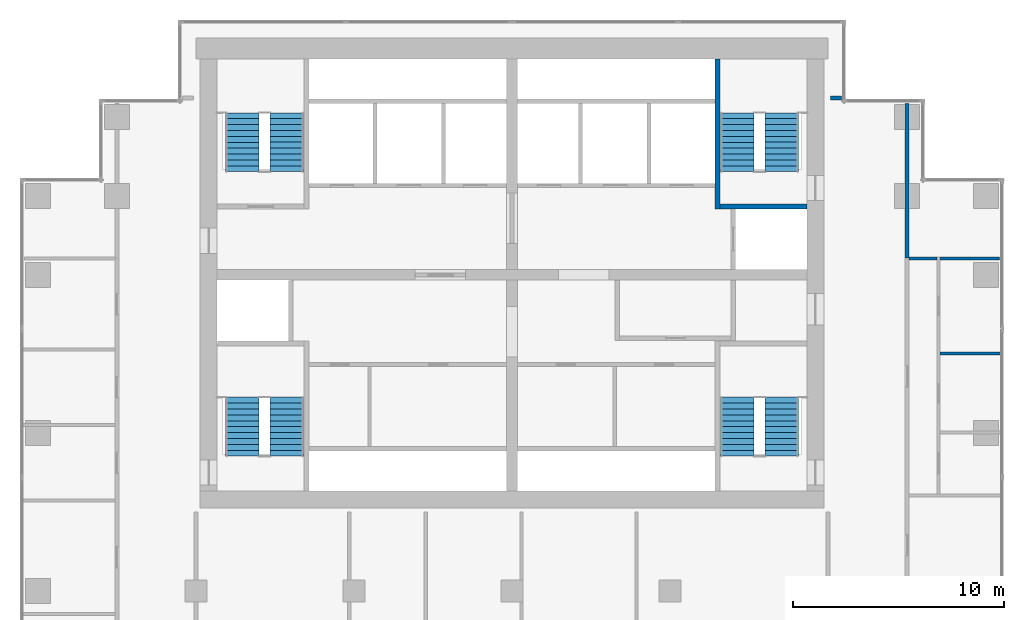
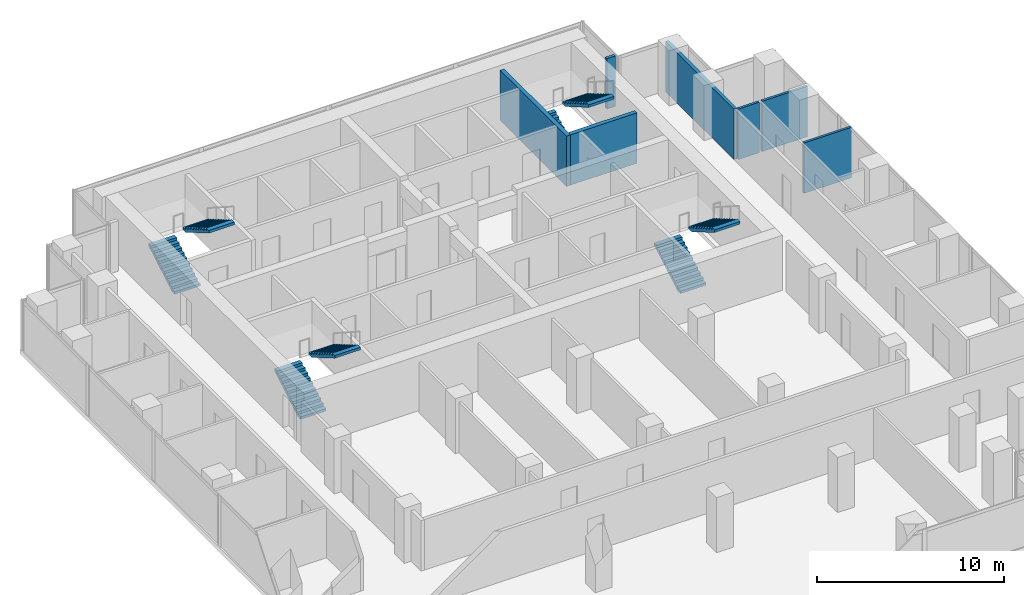
# One storey, part 9 of 10: 8 stair flights, 7 walls, 4 elements without a shape of their own.
"""IFC4 building model written with IfcOpenShell, lengths in metres."""

from ifc_helpers import new_model, si_unit, direction, frame, frame_2d, origin, place, context, subcontext, project, spatial, polyline, rectangle, outline, extrude, material, layer, layer_set, type_object, element, aggregate, save


model = new_model("IFC4")

# Units and contexts
model_context = context("Model", 3, precision=1e-05, world=origin(), true_north=direction((0.0, 1.0)))
body_context = subcontext(model_context, "Body", "Model", "MODEL_VIEW")
ifc_project = project(units=[si_unit("LENGTHUNIT", "METRE"), si_unit("AREAUNIT", "SQUARE_METRE"), si_unit("VOLUMEUNIT", "CUBIC_METRE"), si_unit("PLANEANGLEUNIT", "RADIAN"), si_unit("MASSUNIT", "GRAM", prefix="KILO")], contexts=[model_context])

# Site, building, storey
site_placement = place(None, origin())
site = spatial("IfcSite", under=ifc_project, at=site_placement, CompositionType="ELEMENT")
building_placement = place(site_placement, origin())
building = spatial("IfcBuilding", under=site, at=building_placement, Name="Pilkhan Gate Tower", CompositionType="ELEMENT")
storey_placement = place(building_placement, frame((0.0, 0.0, 176.5)))
storey = spatial("IfcBuildingStorey", under=building, at=storey_placement, Name="L45", CompositionType="ELEMENT", Elevation=176.5)

# Walls
ifc_material_1 = material(Name="Dense blockwork", Category="masonry")
ifc_layer_1 = layer(ifc_material_1, 0.199951171875)
ifc_layer_set_1 = layer_set([ifc_layer_1], Name="Corridor wall FW200")
wall_type_1 = type_object("IfcWallType", Name="Corridor wall FW200", PredefinedType="PARTITIONING", material=ifc_layer_set_1)
wall_1_placement = place(storey_placement, frame((90.1201171875, 90.89990234375, 0.0), z_axis=(0.0, 0.0, 1.0), x_axis=(1.0, 0.0, 0.0)))
element("IfcWall", 1, at=wall_1_placement, inside=storey, type_object=wall_type_1, Name="Partition L45", PredefinedType="PARTITIONING", context=body_context, shape_type="SweptSolid", body=[
    extrude(rectangle(XDim=0.52490234375, YDim=0.199951171875, at=frame_2d((0.262451171875, 0.0))), origin(), (0.0, 0.0, 1.0), 3.300048828125),
])
wall_2_placement = place(storey_placement, frame((93.75, 83.31005859375, 0.0), z_axis=(0.0, 0.0, 1.0), x_axis=(0.0, 1.0, 0.0)))
element("IfcWall", 2, at=wall_2_placement, inside=storey, type_object=wall_type_1, Name="Partition L45", PredefinedType="PARTITIONING", context=body_context, shape_type="SweptSolid", body=[
    extrude(rectangle(XDim=7.3349609375, YDim=0.199951171875, at=frame_2d((3.66748046875, 0.0))), origin(), (0.0, 0.0, 1.0), 3.300048828125),
])
ifc_material_2 = material(Name="Blockwork partition, plastered both sides", Category="masonry")
ifc_layer_2 = layer(ifc_material_2, 0.14990234375)
ifc_layer_set_2 = layer_set([ifc_layer_2], Name="Partition PW150")
wall_type_2 = type_object("IfcWallType", Name="Partition PW150", PredefinedType="PARTITIONING", material=ifc_layer_set_2)
wall_3_placement = place(storey_placement, frame((95.324951171875, 78.780029296875, 0.0), z_axis=(0.0, 0.0, 1.0), x_axis=(1.0, 0.0, 0.0)))
element("IfcWall", 3, at=wall_3_placement, inside=storey, type_object=wall_type_2, Name="Partition L45", PredefinedType="PARTITIONING", context=body_context, shape_type="SweptSolid", body=[
    extrude(rectangle(XDim=2.93994140625, YDim=0.14990234375, at=frame_2d((1.469970703125, 0.0))), origin(), (0.0, 0.0, 1.0), 3.300048828125),
])
wall_4_placement = place(storey_placement, frame((93.85009765625, 83.280029296875, 0.0), z_axis=(0.0, 0.0, 1.0), x_axis=(1.0, 0.0, 0.0)))
element("IfcWall", 4, at=wall_4_placement, inside=storey, type_object=wall_type_2, Name="Partition L45", PredefinedType="PARTITIONING", context=body_context, shape_type="SweptSolid", body=[
    extrude(rectangle(XDim=1.324951171875, YDim=0.14990234375, at=frame_2d((0.66259765625, 0.0))), origin(), (0.0, 0.0, 1.0), 3.300048828125),
])
wall_5_placement = place(storey_placement, frame((95.324951171875, 83.280029296875, 0.0), z_axis=(0.0, 0.0, 1.0), x_axis=(1.0, 0.0, 0.0)))
element("IfcWall", 5, at=wall_5_placement, inside=storey, type_object=wall_type_2, Name="Partition L45", PredefinedType="PARTITIONING", context=body_context, shape_type="SweptSolid", body=[
    extrude(rectangle(XDim=2.820068359375, YDim=0.14990234375, at=frame_2d((1.41015625, 0.0))), origin(), (0.0, 0.0, 1.0), 3.300048828125),
])
ifc_material_3 = material(Name="Reinforced blockwork, 120 minute fire resisting", Category="masonry")
ifc_layer_3 = layer(ifc_material_3, 0.25)
ifc_layer_set_3 = layer_set([ifc_layer_3], Name="Stair enclosure wall SE250")
wall_type_3 = type_object("IfcWallType", Name="Stair enclosure wall SE250", PredefinedType="PARTITIONING", material=ifc_layer_set_3)
wall_6_placement = place(storey_placement, frame((84.875, 85.75, 0.0), z_axis=(0.0, 0.0, 1.0), x_axis=(1.0, 0.0, 0.0)))
element("IfcWall", 6, at=wall_6_placement, inside=storey, type_object=wall_type_3, Name="Partition L45", PredefinedType="PARTITIONING", context=body_context, shape_type="SweptSolid", body=[
    extrude(rectangle(XDim=4.125, YDim=0.25, at=frame_2d((2.0625, 0.0))), origin(), (0.0, 0.0, 1.0), 3.300048828125),
])
wall_7_placement = place(storey_placement, frame((84.75, 85.625, 0.0), z_axis=(0.0, 0.0, 1.0), x_axis=(0.0, 1.0, 0.0)))
element("IfcWall", 7, at=wall_7_placement, inside=storey, type_object=wall_type_3, Name="Partition L45", PredefinedType="PARTITIONING", context=body_context, shape_type="SweptSolid", body=[
    extrude(rectangle(XDim=7.114990234375, YDim=0.25, at=frame_2d((3.5576171875, 0.0))), origin(), (0.0, 0.0, 1.0), 3.300048828125),
])

# Stair, stair flights
ifc_material_4 = material(Name="Concrete C40/50 precast", Category="concrete")
stair_type_1 = type_object("IfcStairType", Name="Stair ST1 164x280", PredefinedType="HALF_TURN_STAIR", material=ifc_material_4)
stair_1_placement = place(storey_placement, origin())
stair_1 = element("IfcStair", 8, at=stair_1_placement, inside=storey, type_object=stair_type_1, Name="Stair ST1 L45", PredefinedType="HALF_TURN_STAIR")
stair_flight_type_1 = type_object("IfcStairFlightType", Name="Stair flight ST1 164x280x11", PredefinedType="STRAIGHT", material=ifc_material_4)
stair_flight_1_placement = place(storey_placement, frame((85.68994140625, 73.89990234375, 0.0), z_axis=(0.0, 0.0, 1.0), x_axis=(0.0, 1.0, 0.0)))
stair_flight_1 = element("IfcStairFlight", 9, at=stair_flight_1_placement, type_object=stair_flight_type_1, Name="ST1 flight 1", NumberOfRisers=11, NumberOfTreads=10, PredefinedType="STRAIGHT", RiserHeight=0.163636364, TreadLength=0.28, context=body_context, shape_type="SweptSolid", body=[
    extrude(outline(polyline([(0.0, 0.0), (0.0, 0.16357421875), (0.280029296875, 0.16357421875), (0.280029296875, 0.327392578125), (0.56005859375, 0.327392578125), (0.56005859375, 0.490966796875), (0.840087890625, 0.490966796875), (0.840087890625, 0.654541015625), (1.1201171875, 0.654541015625), (1.1201171875, 0.818115234375), (1.39990234375, 0.818115234375), (1.39990234375, 0.98193359375), (1.679931640625, 0.98193359375), (1.679931640625, 1.1455078125), (1.9599609375, 1.1455078125), (1.9599609375, 1.30908203125), (2.239990234375, 1.30908203125), (2.239990234375, 1.47265625), (2.52001953125, 1.47265625), (2.52001953125, 1.636474609375), (2.800048828125, 1.636474609375), (2.800048828125, 1.800048828125), (2.800048828125, 1.462646484375), (0.297119140625, 0.0), (0.0, 0.0)])), frame((0.0, 0.7900390625, 0.0), z_axis=(0.0, -1.0, 0.0), x_axis=(1.0, 0.0, 0.0)), (0.0, 0.0, 1.0), 1.580078125),
])
stair_flight_2_placement = place(storey_placement, frame((87.81005859375, 76.699951171875, 1.800048828125), z_axis=(0.0, 0.0, 1.0), x_axis=(0.0, -1.0, 0.0)))
stair_flight_2 = element("IfcStairFlight", 10, at=stair_flight_2_placement, type_object=stair_flight_type_1, Name="ST1 flight 2", NumberOfRisers=11, NumberOfTreads=10, PredefinedType="STRAIGHT", RiserHeight=0.163636364, TreadLength=0.28, context=body_context, shape_type="SweptSolid", body=[
    extrude(outline(polyline([(0.0, 0.0), (0.0, 0.16357421875), (0.280029296875, 0.16357421875), (0.280029296875, 0.327392578125), (0.56005859375, 0.327392578125), (0.56005859375, 0.490966796875), (0.840087890625, 0.490966796875), (0.840087890625, 0.654541015625), (1.1201171875, 0.654541015625), (1.1201171875, 0.818115234375), (1.39990234375, 0.818115234375), (1.39990234375, 0.98193359375), (1.679931640625, 0.98193359375), (1.679931640625, 1.1455078125), (1.9599609375, 1.1455078125), (1.9599609375, 1.30908203125), (2.239990234375, 1.30908203125), (2.239990234375, 1.47265625), (2.52001953125, 1.47265625), (2.52001953125, 1.636474609375), (2.800048828125, 1.636474609375), (2.800048828125, 1.800048828125), (2.800048828125, 1.462646484375), (0.297119140625, 0.0), (0.0, 0.0)])), frame((0.0, 0.7900390625, 0.0), z_axis=(0.0, -1.0, 0.0), x_axis=(1.0, 0.0, 0.0)), (0.0, 0.0, 1.0), 1.580078125),
])
aggregate(stair_1, [stair_flight_1, stair_flight_2])

stair_type_2 = type_object("IfcStairType", Name="Stair ST2 164x280", PredefinedType="HALF_TURN_STAIR", material=ifc_material_4)
stair_2_placement = place(storey_placement, origin())
stair_2 = element("IfcStair", 11, at=stair_2_placement, inside=storey, type_object=stair_type_2, Name="Stair ST2 L45", PredefinedType="HALF_TURN_STAIR")
stair_flight_type_2 = type_object("IfcStairFlightType", Name="Stair flight ST2 164x280x11", PredefinedType="STRAIGHT", material=ifc_material_4)
stair_flight_3_placement = place(storey_placement, frame((62.18994140625, 73.89990234375, 0.0), z_axis=(0.0, 0.0, 1.0), x_axis=(0.0, 1.0, 0.0)))
stair_flight_3 = element("IfcStairFlight", 12, at=stair_flight_3_placement, type_object=stair_flight_type_2, Name="ST2 flight 1", NumberOfRisers=11, NumberOfTreads=10, PredefinedType="STRAIGHT", RiserHeight=0.163636364, TreadLength=0.28, context=body_context, shape_type="SweptSolid", body=[
    extrude(outline(polyline([(0.0, 0.0), (0.0, 0.16357421875), (0.280029296875, 0.16357421875), (0.280029296875, 0.327392578125), (0.56005859375, 0.327392578125), (0.56005859375, 0.490966796875), (0.840087890625, 0.490966796875), (0.840087890625, 0.654541015625), (1.1201171875, 0.654541015625), (1.1201171875, 0.818115234375), (1.39990234375, 0.818115234375), (1.39990234375, 0.98193359375), (1.679931640625, 0.98193359375), (1.679931640625, 1.1455078125), (1.9599609375, 1.1455078125), (1.9599609375, 1.30908203125), (2.239990234375, 1.30908203125), (2.239990234375, 1.47265625), (2.52001953125, 1.47265625), (2.52001953125, 1.636474609375), (2.800048828125, 1.636474609375), (2.800048828125, 1.800048828125), (2.800048828125, 1.462646484375), (0.297119140625, 0.0), (0.0, 0.0)])), frame((0.0, 0.7900390625, 0.0), z_axis=(0.0, -1.0, 0.0), x_axis=(1.0, 0.0, 0.0)), (0.0, 0.0, 1.0), 1.580078125),
])
stair_flight_4_placement = place(storey_placement, frame((64.31005859375, 76.699951171875, 1.800048828125), z_axis=(0.0, 0.0, 1.0), x_axis=(0.0, -1.0, 0.0)))
stair_flight_4 = element("IfcStairFlight", 13, at=stair_flight_4_placement, type_object=stair_flight_type_2, Name="ST2 flight 2", NumberOfRisers=11, NumberOfTreads=10, PredefinedType="STRAIGHT", RiserHeight=0.163636364, TreadLength=0.28, context=body_context, shape_type="SweptSolid", body=[
    extrude(outline(polyline([(0.0, 0.0), (0.0, 0.16357421875), (0.280029296875, 0.16357421875), (0.280029296875, 0.327392578125), (0.56005859375, 0.327392578125), (0.56005859375, 0.490966796875), (0.840087890625, 0.490966796875), (0.840087890625, 0.654541015625), (1.1201171875, 0.654541015625), (1.1201171875, 0.818115234375), (1.39990234375, 0.818115234375), (1.39990234375, 0.98193359375), (1.679931640625, 0.98193359375), (1.679931640625, 1.1455078125), (1.9599609375, 1.1455078125), (1.9599609375, 1.30908203125), (2.239990234375, 1.30908203125), (2.239990234375, 1.47265625), (2.52001953125, 1.47265625), (2.52001953125, 1.636474609375), (2.800048828125, 1.636474609375), (2.800048828125, 1.800048828125), (2.800048828125, 1.462646484375), (0.297119140625, 0.0), (0.0, 0.0)])), frame((0.0, 0.7900390625, 0.0), z_axis=(0.0, -1.0, 0.0), x_axis=(1.0, 0.0, 0.0)), (0.0, 0.0, 1.0), 1.580078125),
])
aggregate(stair_2, [stair_flight_3, stair_flight_4])

stair_type_3 = type_object("IfcStairType", Name="Stair ST3 164x280", PredefinedType="HALF_TURN_STAIR", material=ifc_material_4)
stair_3_placement = place(storey_placement, origin())
stair_3 = element("IfcStair", 14, at=stair_3_placement, inside=storey, type_object=stair_type_3, Name="Stair ST3 L45", PredefinedType="HALF_TURN_STAIR")
stair_flight_type_3 = type_object("IfcStairFlightType", Name="Stair flight ST3 164x280x11", PredefinedType="STRAIGHT", material=ifc_material_4)
stair_flight_5_placement = place(storey_placement, frame((62.18994140625, 87.39990234375, 0.0), z_axis=(0.0, 0.0, 1.0), x_axis=(0.0, 1.0, 0.0)))
stair_flight_5 = element("IfcStairFlight", 15, at=stair_flight_5_placement, type_object=stair_flight_type_3, Name="ST3 flight 1", NumberOfRisers=11, NumberOfTreads=10, PredefinedType="STRAIGHT", RiserHeight=0.163636364, TreadLength=0.28, context=body_context, shape_type="SweptSolid", body=[
    extrude(outline(polyline([(0.0, 0.0), (0.0, 0.16357421875), (0.280029296875, 0.16357421875), (0.280029296875, 0.327392578125), (0.56005859375, 0.327392578125), (0.56005859375, 0.490966796875), (0.840087890625, 0.490966796875), (0.840087890625, 0.654541015625), (1.1201171875, 0.654541015625), (1.1201171875, 0.818115234375), (1.39990234375, 0.818115234375), (1.39990234375, 0.98193359375), (1.679931640625, 0.98193359375), (1.679931640625, 1.1455078125), (1.9599609375, 1.1455078125), (1.9599609375, 1.30908203125), (2.239990234375, 1.30908203125), (2.239990234375, 1.47265625), (2.52001953125, 1.47265625), (2.52001953125, 1.636474609375), (2.800048828125, 1.636474609375), (2.800048828125, 1.800048828125), (2.800048828125, 1.462646484375), (0.297119140625, 0.0), (0.0, 0.0)])), frame((0.0, 0.7900390625, 0.0), z_axis=(0.0, -1.0, 0.0), x_axis=(1.0, 0.0, 0.0)), (0.0, 0.0, 1.0), 1.580078125),
])
stair_flight_6_placement = place(storey_placement, frame((64.31005859375, 90.199951171875, 1.800048828125), z_axis=(0.0, 0.0, 1.0), x_axis=(0.0, -1.0, 0.0)))
stair_flight_6 = element("IfcStairFlight", 16, at=stair_flight_6_placement, type_object=stair_flight_type_3, Name="ST3 flight 2", NumberOfRisers=11, NumberOfTreads=10, PredefinedType="STRAIGHT", RiserHeight=0.163636364, TreadLength=0.28, context=body_context, shape_type="SweptSolid", body=[
    extrude(outline(polyline([(0.0, 0.0), (0.0, 0.16357421875), (0.280029296875, 0.16357421875), (0.280029296875, 0.327392578125), (0.56005859375, 0.327392578125), (0.56005859375, 0.490966796875), (0.840087890625, 0.490966796875), (0.840087890625, 0.654541015625), (1.1201171875, 0.654541015625), (1.1201171875, 0.818115234375), (1.39990234375, 0.818115234375), (1.39990234375, 0.98193359375), (1.679931640625, 0.98193359375), (1.679931640625, 1.1455078125), (1.9599609375, 1.1455078125), (1.9599609375, 1.30908203125), (2.239990234375, 1.30908203125), (2.239990234375, 1.47265625), (2.52001953125, 1.47265625), (2.52001953125, 1.636474609375), (2.800048828125, 1.636474609375), (2.800048828125, 1.800048828125), (2.800048828125, 1.462646484375), (0.297119140625, 0.0), (0.0, 0.0)])), frame((0.0, 0.7900390625, 0.0), z_axis=(0.0, -1.0, 0.0), x_axis=(1.0, 0.0, 0.0)), (0.0, 0.0, 1.0), 1.580078125),
])
aggregate(stair_3, [stair_flight_5, stair_flight_6])

stair_type_4 = type_object("IfcStairType", Name="Stair ST4 164x280", PredefinedType="HALF_TURN_STAIR", material=ifc_material_4)
stair_4_placement = place(storey_placement, origin())
stair_4 = element("IfcStair", 17, at=stair_4_placement, inside=storey, type_object=stair_type_4, Name="Stair ST4 L45", PredefinedType="HALF_TURN_STAIR")
stair_flight_type_4 = type_object("IfcStairFlightType", Name="Stair flight ST4 164x280x11", PredefinedType="STRAIGHT", material=ifc_material_4)
stair_flight_7_placement = place(storey_placement, frame((85.68994140625, 87.39990234375, 0.0), z_axis=(0.0, 0.0, 1.0), x_axis=(0.0, 1.0, 0.0)))
stair_flight_7 = element("IfcStairFlight", 18, at=stair_flight_7_placement, type_object=stair_flight_type_4, Name="ST4 flight 1", NumberOfRisers=11, NumberOfTreads=10, PredefinedType="STRAIGHT", RiserHeight=0.163636364, TreadLength=0.28, context=body_context, shape_type="SweptSolid", body=[
    extrude(outline(polyline([(0.0, 0.0), (0.0, 0.16357421875), (0.280029296875, 0.16357421875), (0.280029296875, 0.327392578125), (0.56005859375, 0.327392578125), (0.56005859375, 0.490966796875), (0.840087890625, 0.490966796875), (0.840087890625, 0.654541015625), (1.1201171875, 0.654541015625), (1.1201171875, 0.818115234375), (1.39990234375, 0.818115234375), (1.39990234375, 0.98193359375), (1.679931640625, 0.98193359375), (1.679931640625, 1.1455078125), (1.9599609375, 1.1455078125), (1.9599609375, 1.30908203125), (2.239990234375, 1.30908203125), (2.239990234375, 1.47265625), (2.52001953125, 1.47265625), (2.52001953125, 1.636474609375), (2.800048828125, 1.636474609375), (2.800048828125, 1.800048828125), (2.800048828125, 1.462646484375), (0.297119140625, 0.0), (0.0, 0.0)])), frame((0.0, 0.7900390625, 0.0), z_axis=(0.0, -1.0, 0.0), x_axis=(1.0, 0.0, 0.0)), (0.0, 0.0, 1.0), 1.580078125),
])
stair_flight_8_placement = place(storey_placement, frame((87.81005859375, 90.199951171875, 1.800048828125), z_axis=(0.0, 0.0, 1.0), x_axis=(0.0, -1.0, 0.0)))
stair_flight_8 = element("IfcStairFlight", 19, at=stair_flight_8_placement, type_object=stair_flight_type_4, Name="ST4 flight 2", NumberOfRisers=11, NumberOfTreads=10, PredefinedType="STRAIGHT", RiserHeight=0.163636364, TreadLength=0.28, context=body_context, shape_type="SweptSolid", body=[
    extrude(outline(polyline([(0.0, 0.0), (0.0, 0.16357421875), (0.280029296875, 0.16357421875), (0.280029296875, 0.327392578125), (0.56005859375, 0.327392578125), (0.56005859375, 0.490966796875), (0.840087890625, 0.490966796875), (0.840087890625, 0.654541015625), (1.1201171875, 0.654541015625), (1.1201171875, 0.818115234375), (1.39990234375, 0.818115234375), (1.39990234375, 0.98193359375), (1.679931640625, 0.98193359375), (1.679931640625, 1.1455078125), (1.9599609375, 1.1455078125), (1.9599609375, 1.30908203125), (2.239990234375, 1.30908203125), (2.239990234375, 1.47265625), (2.52001953125, 1.47265625), (2.52001953125, 1.636474609375), (2.800048828125, 1.636474609375), (2.800048828125, 1.800048828125), (2.800048828125, 1.462646484375), (0.297119140625, 0.0), (0.0, 0.0)])), frame((0.0, 0.7900390625, 0.0), z_axis=(0.0, -1.0, 0.0), x_axis=(1.0, 0.0, 0.0)), (0.0, 0.0, 1.0), 1.580078125),
])
aggregate(stair_4, [stair_flight_7, stair_flight_8])

save(model, "model.ifc")
